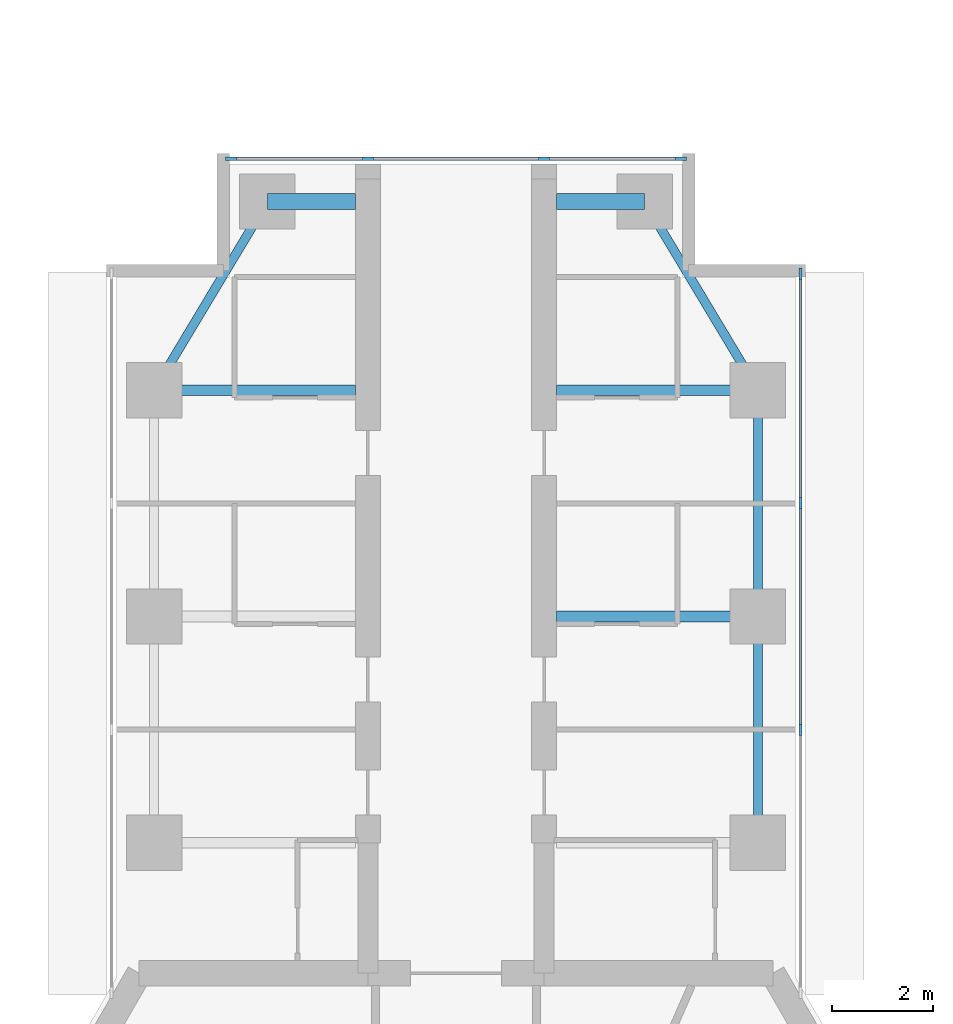
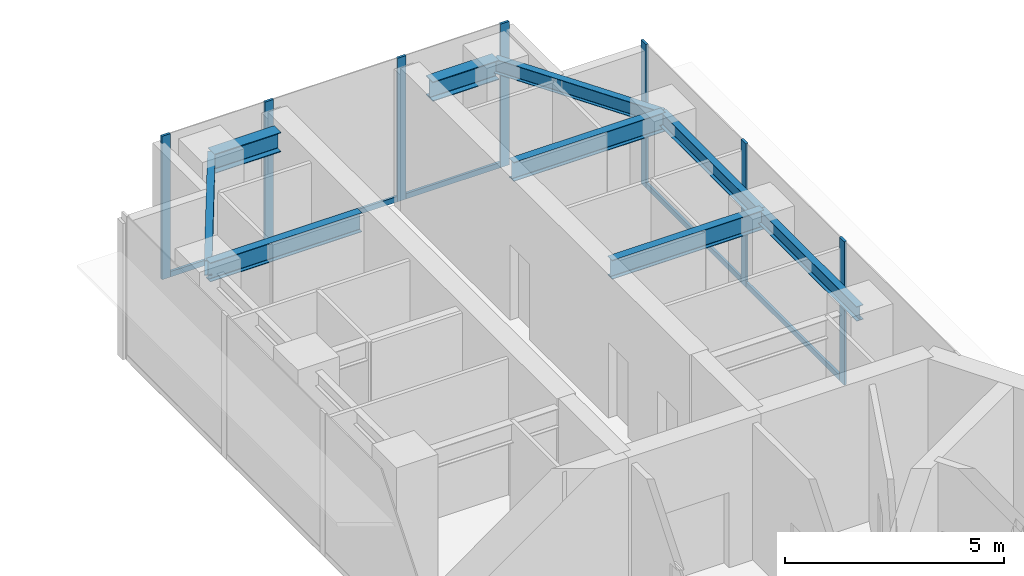
# One storey, part 9 of 18: 12 members, 9 beams, 2 elements without a shape of their own.
"""IFC4 building model written with IfcOpenShell, lengths in metres."""

import ifcopenshell
import ifcopenshell.guid

model = None  # the IFC model being written
_history = None  # IfcOwnerHistory: only IFC2X3 demands one
_inside = {}  # id of a spatial element -> (the spatial element, [elements in it])
_under = {}  # id of a project, library or spatial element -> (it, [spatial elements below it])
_declared = {}  # id of a project -> (the project, [libraries it declares])
_typed = {}  # id of a type object -> (the type object, [elements of that type])
_made_of = {}  # id of a material, layer set ... -> (it, [elements and type objects made of it])


def new_model(schema):
    """Start an empty IFC model of exactly this schema.

    Asked for "IFC4X3", IfcOpenShell would pick the latest addendum, in which some entities
    have other attributes; the version numbers below select the first issue.
    IFC2X3 requires an IfcOwnerHistory on every rooted entity: one is made here for all.
    """
    global model, _history
    if schema == "IFC4X3":
        model = ifcopenshell.file(schema_version=(4, 3, 0, 0))
    else:
        model = ifcopenshell.file(schema=schema)
    _inside.clear()
    _under.clear()
    _declared.clear()
    _typed.clear()
    _made_of.clear()
    _history = None
    if model.schema == "IFC2X3":
        org = make("IfcOrganization", Name="unknown")
        user = make(
            "IfcPersonAndOrganization",
            ThePerson=make("IfcPerson", FamilyName="unknown"),
            TheOrganization=org,
        )
        app = make(
            "IfcApplication",
            ApplicationDeveloper=org,
            Version="unknown",
            ApplicationFullName="unknown",
            ApplicationIdentifier="unknown",
        )
        _history = make(
            "IfcOwnerHistory",
            OwningUser=user,
            OwningApplication=app,
            ChangeAction="ADDED",
            CreationDate=0,
        )
    return model


def make(cls, **values):
    """One entity of the class cls with the attributes given. An attribute that is None is left unset."""
    return model.create_entity(
        cls, **{name: value for name, value in values.items() if value is not None}
    )


def rooted(cls, **values):
    """An entity with a GlobalId (a new one), such as an element, a storey or a relation."""
    return make(cls, GlobalId=ifcopenshell.guid.new(), OwnerHistory=_history, **values)


def si_unit(unit_type, name, prefix=None):
    """IfcSIUnit, for example si_unit("LENGTHUNIT", "METRE", prefix="MILLI")."""
    return make("IfcSIUnit", UnitType=unit_type, Prefix=prefix, Name=name)


def assignment(units):
    """IfcUnitAssignment: the units of a project."""
    return None if units is None else make("IfcUnitAssignment", Units=units)


def point(xyz):
    """IfcCartesianPoint."""
    return None if xyz is None else make("IfcCartesianPoint", Coordinates=xyz)


def direction(xyz):
    """IfcDirection."""
    return None if xyz is None else make("IfcDirection", DirectionRatios=xyz)


def frame(location, z_axis=None, x_axis=None):
    """IfcAxis2Placement3D, a coordinate frame: its origin and axes. An axis left out is left unset."""
    return make(
        "IfcAxis2Placement3D",
        Location=point(location),
        Axis=direction(z_axis),
        RefDirection=direction(x_axis),
    )


def frame_2d(location, x_axis=None):
    """IfcAxis2Placement2D, a coordinate frame in the plane: its origin and x axis."""
    return make(
        "IfcAxis2Placement2D", Location=point(location), RefDirection=direction(x_axis)
    )


def origin():
    """The frame at (0, 0, 0) with its axes left unset."""
    return frame((0.0, 0.0, 0.0))


def origin_2d():
    """The frame at (0, 0) in the plane with its x axis left unset."""
    return frame_2d((0.0, 0.0))


def place(relative_to, where):
    """IfcLocalPlacement: puts the frame where relative to a parent placement (None: the world)."""
    return make(
        "IfcLocalPlacement", PlacementRelTo=relative_to, RelativePlacement=where
    )


def context(
    kind, dimensions, precision=None, world=None, true_north=None, identifier=None
):
    """IfcGeometricRepresentationContext, for example the 3D "Model" context."""
    return make(
        "IfcGeometricRepresentationContext",
        ContextIdentifier=identifier,
        ContextType=kind,
        CoordinateSpaceDimension=dimensions,
        Precision=precision,
        WorldCoordinateSystem=world,
        TrueNorth=true_north,
    )


def subcontext(parent, identifier, kind, view, scale=None):
    """IfcGeometricRepresentationSubContext, for example "Body" below "Model"."""
    return make(
        "IfcGeometricRepresentationSubContext",
        ContextIdentifier=identifier,
        ContextType=kind,
        ParentContext=parent,
        TargetScale=scale,
        TargetView=view,
    )


def project(units=None, contexts=None):
    """IfcProject with its units and contexts."""
    return rooted(
        "IfcProject",
        Name="project",
        RepresentationContexts=contexts,
        UnitsInContext=assignment(units),
    )


def spatial(cls, under=None, at=None, **own):
    """A site, building, storey or space (cls), placed at a placement, below another one or the project."""
    s = rooted(cls, ObjectPlacement=at, **own)
    if under is not None:
        _under.setdefault(under.id(), (under, []))[1].append(s)
    return s


def profile(cls, at=None, kind="AREA", **sizes):
    """A parametric profile (cls). Its sizes go by their IFC names, for example OverallWidth=200.0."""
    return make(cls, ProfileType=kind, Position=at, **sizes)


def rectangle(**sizes):
    """IfcRectangleProfileDef."""
    return profile("IfcRectangleProfileDef", **sizes)


def i_section(**sizes):
    """IfcIShapeProfileDef."""
    return profile("IfcIShapeProfileDef", **sizes)


def extrude(swept, where, along, depth):
    """IfcExtrudedAreaSolid: the profile swept, set in the frame where, extruded along a direction by depth."""
    return make(
        "IfcExtrudedAreaSolid",
        SweptArea=swept,
        Position=where,
        ExtrudedDirection=direction(along),
        Depth=depth,
    )


def shape(context_of_items, identifier, shape_type, items):
    """IfcShapeRepresentation: the items that make up one representation, for example the "Body"."""
    return make(
        "IfcShapeRepresentation",
        ContextOfItems=context_of_items,
        RepresentationIdentifier=identifier,
        RepresentationType=shape_type,
        Items=items,
    )


def material(Name=None, Category=None):
    """IfcMaterial."""
    return make("IfcMaterial", Name=Name, Category=Category)


def material_profile(
    of_material, cross_section, Name=None, Category=None, Priority=None
):
    """IfcMaterialProfile: a cross section and its material."""
    return make(
        "IfcMaterialProfile",
        Name=Name,
        Material=of_material,
        Profile=cross_section,
        Priority=Priority,
        Category=Category,
    )


def profile_set(profiles, Name=None, composite=None):
    """IfcMaterialProfileSet."""
    return make(
        "IfcMaterialProfileSet",
        Name=Name,
        MaterialProfiles=profiles,
        CompositeProfile=composite,
    )


def made_of(thing, what):
    """Note that an element or type object is made of a material, layer set ...; save() writes the relation."""
    if what is not None:
        _made_of.setdefault(what.id(), (what, []))[1].append(thing)
    return thing


def type_object(cls, material=None, **own):
    """A type object (cls), such as IfcWallType, which elements share."""
    return made_of(rooted(cls, **own), material)


def element(
    cls,
    number,
    at=None,
    inside=None,
    cuts=None,
    type_object=None,
    material=None,
    context=None,
    identifier="Body",
    shape_type=None,
    held_by="IfcProductDefinitionShape",
    body=None,
    shapes=None,
    **own,
):
    """One element of the class cls, such as IfcWall. Its Tag is "e" and its number.

    at: its placement. inside: the storey or other place that contains it. cuts: it is an
    opening in that element (IfcRelVoidsElement). A single representation is given by context,
    identifier, shape_type and body (its items); several are given by shapes. held_by: the class
    of the entity that holds the representations. save() writes the other relations.
    """
    e = rooted(cls, Tag="e%d" % number, ObjectPlacement=at, **own)
    if body is not None:
        shapes = [shape(context, identifier, shape_type, body)]
    if shapes is not None:
        e.Representation = make(held_by, Representations=shapes)
    if inside is not None:
        _inside.setdefault(inside.id(), (inside, []))[1].append(e)
    if cuts is not None:
        rooted(
            "IfcRelVoidsElement", RelatingBuildingElement=cuts, RelatedOpeningElement=e
        )
    if type_object is not None:
        _typed.setdefault(type_object.id(), (type_object, []))[1].append(e)
    return made_of(e, material)


def aggregate(whole, parts):
    """IfcRelAggregates: a whole, such as a stair, and the parts it consists of."""
    return rooted("IfcRelAggregates", RelatingObject=whole, RelatedObjects=parts)


def save(model, path):
    """Write the relations noted so far, then the file.

    IfcRelAggregates (storeys below a building ...), IfcRelContainedInSpatialStructure (elements
    in a storey), IfcRelDefinesByType, IfcRelAssociatesMaterial and IfcRelDeclares: one each for
    every whole, place, type object, material and project.
    """
    for whole, parts in _under.values():
        aggregate(whole, parts)
    for where, things in _inside.values():
        rooted(
            "IfcRelContainedInSpatialStructure",
            RelatedElements=things,
            RelatingStructure=where,
        )
    for kind, things in _typed.values():
        rooted("IfcRelDefinesByType", RelatedObjects=things, RelatingType=kind)
    for what, things in _made_of.values():
        rooted("IfcRelAssociatesMaterial", RelatedObjects=things, RelatingMaterial=what)
    for by, libraries in _declared.values():
        rooted("IfcRelDeclares", RelatingContext=by, RelatedDefinitions=libraries)
    model.write(path)


model = new_model("IFC4")

# Units and contexts
model_context = context("Model", 3, precision=1e-05, world=origin(), true_north=direction((0.0, 1.0)))
body_context = subcontext(model_context, "Body", "Model", "MODEL_VIEW")
ifc_project = project(units=[si_unit("LENGTHUNIT", "METRE"), si_unit("AREAUNIT", "SQUARE_METRE"), si_unit("VOLUMEUNIT", "CUBIC_METRE"), si_unit("PLANEANGLEUNIT", "RADIAN"), si_unit("MASSUNIT", "GRAM", prefix="KILO")], contexts=[model_context])

# Site, building, storey
site_placement = place(None, origin())
site = spatial("IfcSite", under=ifc_project, at=site_placement, CompositionType="ELEMENT")
building_placement = place(site_placement, origin())
building = spatial("IfcBuilding", under=site, at=building_placement, Name="Upepo Twin Towers", CompositionType="ELEMENT")
storey_placement = place(building_placement, frame((0.0, 0.0, 218.5)))
storey = spatial("IfcBuildingStorey", under=building, at=storey_placement, Name="L53", CompositionType="ELEMENT", Elevation=218.5)

# Beams
ifc_material_1 = material(Name="Steel S355", Category="steel")
ifc_material_profile_1 = material_profile(ifc_material_1, i_section(OverallWidth=0.177978515625, OverallDepth=0.406494140625, WebThickness=0.0078125, FlangeThickness=0.0126953125, FilletRadius=0.01025390625, at=origin_2d()), Name="UB 406x178x60")
ifc_profile_set_1 = profile_set([ifc_material_profile_1], Name="Steel S355")
beam_type_1 = type_object("IfcBeamType", Name="Beam UB 406x178x60", PredefinedType="BEAM", material=ifc_profile_set_1)
beam_1_placement = place(storey_placement, frame((52.5, 4.5, 3.5966796875), z_axis=(0.514495755428, 0.857492925713, 0.0), x_axis=(-0.857492925713, 0.514495755428, 0.0)))
element("IfcBeam", 1, at=beam_1_placement, inside=storey, type_object=beam_type_1, Name="T2 nose edge beam AL", PredefinedType="BEAM", context=body_context, shape_type="SweptSolid", body=[
    extrude(i_section(OverallWidth=0.177978515625, OverallDepth=0.406494140625, WebThickness=0.0078125, FlangeThickness=0.0126953125, FilletRadius=0.01025390625, at=origin_2d()), origin(), (0.0, 0.0, 1.0), 4.373291015625),
])
for number, where, z_axis, x_axis, name in (
    (2, (64.5, -4.5, 3.5966796875), (0.0, 1.0, 0.0), (-1.0, 0.0, 0.0), "T2 edge beam AR 13.5-18.0"),
    (3, (64.5, 0.0, 3.5966796875), (0.0, 1.0, 0.0), (-1.0, 0.0, 0.0), "T2 edge beam AR 18.0-22.5"),
):
    element("IfcBeam", number, at=place(storey_placement, frame(where, z_axis=z_axis, x_axis=x_axis)), inside=storey, type_object=beam_type_1, Name=name, PredefinedType="BEAM", context=body_context, shape_type="SweptSolid", body=[
        extrude(i_section(OverallWidth=0.177978515625, OverallDepth=0.406494140625, WebThickness=0.0078125, FlangeThickness=0.0126953125, FilletRadius=0.01025390625, at=origin_2d()), origin(), (0.0, 0.0, 1.0), 4.5),
    ])
beam_2_placement = place(storey_placement, frame((64.5, 4.5, 3.5966796875), z_axis=(-0.514495755428, 0.857492925713, 0.0), x_axis=(-0.857492925713, -0.514495755428, 0.0)))
element("IfcBeam", 4, at=beam_2_placement, inside=storey, type_object=beam_type_1, Name="T2 nose edge beam AR", PredefinedType="BEAM", context=body_context, shape_type="SweptSolid", body=[
    extrude(i_section(OverallWidth=0.177978515625, OverallDepth=0.406494140625, WebThickness=0.0078125, FlangeThickness=0.0126953125, FilletRadius=0.01025390625, at=origin_2d()), origin(), (0.0, 0.0, 1.0), 4.373291015625),
])
ifc_material_2 = material(Name="Steel S355", Category="steel")
ifc_material_profile_2 = material_profile(ifc_material_2, i_section(OverallWidth=0.209228515625, OverallDepth=0.533203125, WebThickness=0.010009765625, FlangeThickness=0.015625, FilletRadius=0.0126953125, at=origin_2d()), Name="UB 533x210x92")
ifc_profile_set_2 = profile_set([ifc_material_profile_2], Name="Steel S355")
beam_type_2 = type_object("IfcBeamType", Name="Beam UB 533x210x92", PredefinedType="BEAM", material=ifc_profile_set_2)
for number, where, z_axis, x_axis, name in (
    (5, (52.5, 4.5, 3.533447265625), (1.0, 0.0, 0.0), (0.0, 1.0, 0.0), "T2 girder AL at 22.5"),
    (6, (64.5, 0.0, 3.533447265625), (-1.0, 0.0, 0.0), (0.0, -1.0, 0.0), "T2 girder AR at 18.0"),
    (7, (64.5, 4.5, 3.533447265625), (-1.0, 0.0, 0.0), (0.0, -1.0, 0.0), "T2 girder AR at 22.5"),
):
    element("IfcBeam", number, at=place(storey_placement, frame(where, z_axis=z_axis, x_axis=x_axis)), inside=storey, type_object=beam_type_2, Name=name, PredefinedType="BEAM", context=body_context, shape_type="SweptSolid", body=[
        extrude(i_section(OverallWidth=0.209228515625, OverallDepth=0.533203125, WebThickness=0.010009765625, FlangeThickness=0.015625, FilletRadius=0.0126953125, at=origin_2d()), origin(), (0.0, 0.0, 1.0), 4.0),
    ])
ifc_material_3 = material(Name="Steel S355", Category="steel")
ifc_material_profile_3 = material_profile(ifc_material_3, i_section(OverallWidth=0.31201171875, OverallDepth=0.54345703125, WebThickness=0.0126953125, FlangeThickness=0.020263671875, FilletRadius=0.0126953125, at=origin_2d()), Name="UB 533x312x150")
ifc_profile_set_3 = profile_set([ifc_material_profile_3], Name="Steel S355")
beam_type_3 = type_object("IfcBeamType", Name="Beam UB 533x312x150", PredefinedType="BEAM", material=ifc_profile_set_3)
for number, where, z_axis, x_axis, name in (
    (8, (54.75, 8.25, 3.5283203125), (1.0, 0.0, 0.0), (0.0, 1.0, 0.0), "T2 nose beam AL"),
    (9, (62.25, 8.25, 3.5283203125), (-1.0, 0.0, 0.0), (0.0, -1.0, 0.0), "T2 nose beam AR"),
):
    element("IfcBeam", number, at=place(storey_placement, frame(where, z_axis=z_axis, x_axis=x_axis)), inside=storey, type_object=beam_type_3, Name=name, PredefinedType="BEAM", context=body_context, shape_type="SweptSolid", body=[
        extrude(i_section(OverallWidth=0.31201171875, OverallDepth=0.54345703125, WebThickness=0.0126953125, FlangeThickness=0.020263671875, FilletRadius=0.0126953125, at=origin_2d()), origin(), (0.0, 0.0, 1.0), 1.75),
    ])

# Curtain wall, members
ifc_material_4 = material(Name="Aluminium and fritted glass", Category="aluminium")
curtain_wall_type = type_object("IfcCurtainWallType", Name="Tower curtain wall TW3, fritted glass", PredefinedType="NOTDEFINED", material=ifc_material_4)
curtain_wall_1_placement = place(storey_placement, origin())
curtain_wall_1 = element("IfcCurtainWall", 10, at=curtain_wall_1_placement, inside=storey, type_object=curtain_wall_type, Name="T2 L53 wing A flank R curtain wall", PredefinedType="NOTDEFINED")
ifc_material_5 = material(Name="Aluminium mullion", Category="aluminium")
ifc_material_profile_4 = material_profile(ifc_material_5, rectangle(XDim=0.06494140625, YDim=0.22509765625, at=origin_2d()), Name="MULLION 65x225")
ifc_profile_set_4 = profile_set([ifc_material_profile_4], Name="Aluminium mullion")
member_type_1 = type_object("IfcMemberType", Name="Mullion 65x225 TW3", PredefinedType="MULLION", material=ifc_profile_set_4)
member_1_placement = place(storey_placement, frame((65.35009765625, 6.8173828125, 0.0), z_axis=(0.0, 0.0, 1.0), x_axis=(1.0, 0.0, 0.0)))
member_1 = element("IfcMember", 11, at=member_1_placement, type_object=member_type_1, Name="T2 L53 wing A flank R curtain wall mullion 1", PredefinedType="MULLION", context=body_context, shape_type="SweptSolid", body=[
    extrude(rectangle(XDim=0.06494140625, YDim=0.22509765625, at=origin_2d()), origin(), (0.0, 0.0, 1.0), 4.0),
])
member_2_placement = place(storey_placement, frame((65.35009765625, 2.25, 0.0), z_axis=(0.0, 0.0, 1.0), x_axis=(1.0, 0.0, 0.0)))
member_2 = element("IfcMember", 12, at=member_2_placement, type_object=member_type_1, Name="T2 L53 wing A flank R curtain wall mullion 2", PredefinedType="MULLION", context=body_context, shape_type="SweptSolid", body=[
    extrude(rectangle(XDim=0.06494140625, YDim=0.22509765625, at=origin_2d()), origin(), (0.0, 0.0, 1.0), 4.0),
])
member_3_placement = place(storey_placement, frame((65.35009765625, -2.25, 0.0), z_axis=(0.0, 0.0, 1.0), x_axis=(1.0, 0.0, 0.0)))
member_3 = element("IfcMember", 13, at=member_3_placement, type_object=member_type_1, Name="T2 L53 wing A flank R curtain wall mullion 3", PredefinedType="MULLION", context=body_context, shape_type="SweptSolid", body=[
    extrude(rectangle(XDim=0.06494140625, YDim=0.22509765625, at=origin_2d()), origin(), (0.0, 0.0, 1.0), 4.0),
])

curtain_wall_2_placement = place(storey_placement, origin())
curtain_wall_2 = element("IfcCurtainWall", 14, at=curtain_wall_2_placement, inside=storey, type_object=curtain_wall_type, Name="T2 L53 wing A nose curtain wall", PredefinedType="NOTDEFINED")
member_4_placement = place(storey_placement, frame((62.967529296875, 9.10009765625, 0.0), z_axis=(0.0, 0.0, 1.0), x_axis=(0.0, -1.0, 0.0)))
member_4 = element("IfcMember", 15, at=member_4_placement, type_object=member_type_1, Name="T2 L53 wing A nose curtain wall mullion 1", PredefinedType="MULLION", context=body_context, shape_type="SweptSolid", body=[
    extrude(rectangle(XDim=0.06494140625, YDim=0.22509765625, at=origin_2d()), origin(), (0.0, 0.0, 1.0), 4.0),
])
member_5_placement = place(storey_placement, frame((60.25, 9.10009765625, 0.0), z_axis=(0.0, 0.0, 1.0), x_axis=(0.0, -1.0, 0.0)))
member_5 = element("IfcMember", 16, at=member_5_placement, type_object=member_type_1, Name="T2 L53 wing A nose curtain wall mullion 2", PredefinedType="MULLION", context=body_context, shape_type="SweptSolid", body=[
    extrude(rectangle(XDim=0.06494140625, YDim=0.22509765625, at=origin_2d()), origin(), (0.0, 0.0, 1.0), 4.0),
])
member_6_placement = place(storey_placement, frame((56.75, 9.10009765625, 0.0), z_axis=(0.0, 0.0, 1.0), x_axis=(0.0, -1.0, 0.0)))
member_6 = element("IfcMember", 17, at=member_6_placement, type_object=member_type_1, Name="T2 L53 wing A nose curtain wall mullion 3", PredefinedType="MULLION", context=body_context, shape_type="SweptSolid", body=[
    extrude(rectangle(XDim=0.06494140625, YDim=0.22509765625, at=origin_2d()), origin(), (0.0, 0.0, 1.0), 4.0),
])
member_7_placement = place(storey_placement, frame((54.032470703125, 9.10009765625, 0.0), z_axis=(0.0, 0.0, 1.0), x_axis=(0.0, -1.0, 0.0)))
member_7 = element("IfcMember", 18, at=member_7_placement, type_object=member_type_1, Name="T2 L53 wing A nose curtain wall mullion 4", PredefinedType="MULLION", context=body_context, shape_type="SweptSolid", body=[
    extrude(rectangle(XDim=0.06494140625, YDim=0.22509765625, at=origin_2d()), origin(), (0.0, 0.0, 1.0), 4.0),
])

# Member
ifc_material_6 = material(Name="Aluminium transom", Category="aluminium")
ifc_material_profile_5 = material_profile(ifc_material_6, rectangle(XDim=0.06494140625, YDim=0.14990234375, at=origin_2d()), Name="TRANSOM 65x150")
ifc_profile_set_5 = profile_set([ifc_material_profile_5], Name="Aluminium transom")
member_type_2 = type_object("IfcMemberType", Name="Transom 65x150 TW3", PredefinedType="USERDEFINED", material=ifc_profile_set_5)
member_8_placement = place(storey_placement, frame((65.35009765625, 6.784912109375, 0.074951171875), z_axis=(0.0, -1.0, 0.0), x_axis=(1.0, 0.0, 0.0)))
member_8 = element("IfcMember", 19, at=member_8_placement, type_object=member_type_2, Name="T2 L53 wing A flank R curtain wall transom 1", ObjectType="TRANSOM", PredefinedType="USERDEFINED", context=body_context, shape_type="SweptSolid", body=[
    extrude(rectangle(XDim=0.06494140625, YDim=0.14990234375, at=origin_2d()), origin(), (0.0, 0.0, 1.0), 4.50244140625),
])

member_9_placement = place(storey_placement, frame((65.35009765625, 2.217529296875, 0.074951171875), z_axis=(0.0, -1.0, 0.0), x_axis=(1.0, 0.0, 0.0)))
member_9 = element("IfcMember", 20, at=member_9_placement, type_object=member_type_2, Name="T2 L53 wing A flank R curtain wall transom 2", ObjectType="TRANSOM", PredefinedType="USERDEFINED", context=body_context, shape_type="SweptSolid", body=[
    extrude(rectangle(XDim=0.06494140625, YDim=0.14990234375, at=origin_2d()), origin(), (0.0, 0.0, 1.0), 4.43505859375),
])

aggregate(curtain_wall_1, [member_1, member_2, member_3, member_8, member_9])

member_10_placement = place(storey_placement, frame((62.93505859375, 9.10009765625, 0.074951171875), z_axis=(-1.0, 0.0, 0.0), x_axis=(0.0, -1.0, 0.0)))
member_10 = element("IfcMember", 21, at=member_10_placement, type_object=member_type_2, Name="T2 L53 wing A nose curtain wall transom 1", ObjectType="TRANSOM", PredefinedType="USERDEFINED", context=body_context, shape_type="SweptSolid", body=[
    extrude(rectangle(XDim=0.06494140625, YDim=0.14990234375, at=origin_2d()), origin(), (0.0, 0.0, 1.0), 2.652587890625),
])

member_11_placement = place(storey_placement, frame((60.217529296875, 9.10009765625, 0.074951171875), z_axis=(-1.0, 0.0, 0.0), x_axis=(0.0, -1.0, 0.0)))
member_11 = element("IfcMember", 22, at=member_11_placement, type_object=member_type_2, Name="T2 L53 wing A nose curtain wall transom 2", ObjectType="TRANSOM", PredefinedType="USERDEFINED", context=body_context, shape_type="SweptSolid", body=[
    extrude(rectangle(XDim=0.06494140625, YDim=0.14990234375, at=origin_2d()), origin(), (0.0, 0.0, 1.0), 3.43505859375),
])

member_12_placement = place(storey_placement, frame((56.717529296875, 9.10009765625, 0.074951171875), z_axis=(-1.0, 0.0, 0.0), x_axis=(0.0, -1.0, 0.0)))
member_12 = element("IfcMember", 23, at=member_12_placement, type_object=member_type_2, Name="T2 L53 wing A nose curtain wall transom 3", ObjectType="TRANSOM", PredefinedType="USERDEFINED", context=body_context, shape_type="SweptSolid", body=[
    extrude(rectangle(XDim=0.06494140625, YDim=0.14990234375, at=origin_2d()), origin(), (0.0, 0.0, 1.0), 2.652587890625),
])

aggregate(curtain_wall_2, [member_4, member_5, member_6, member_7, member_10, member_11, member_12])

save(model, "model.ifc")
